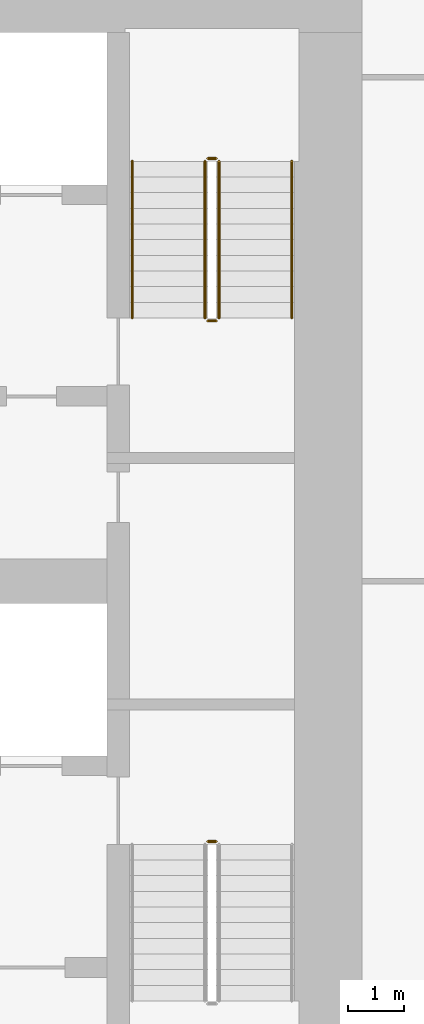
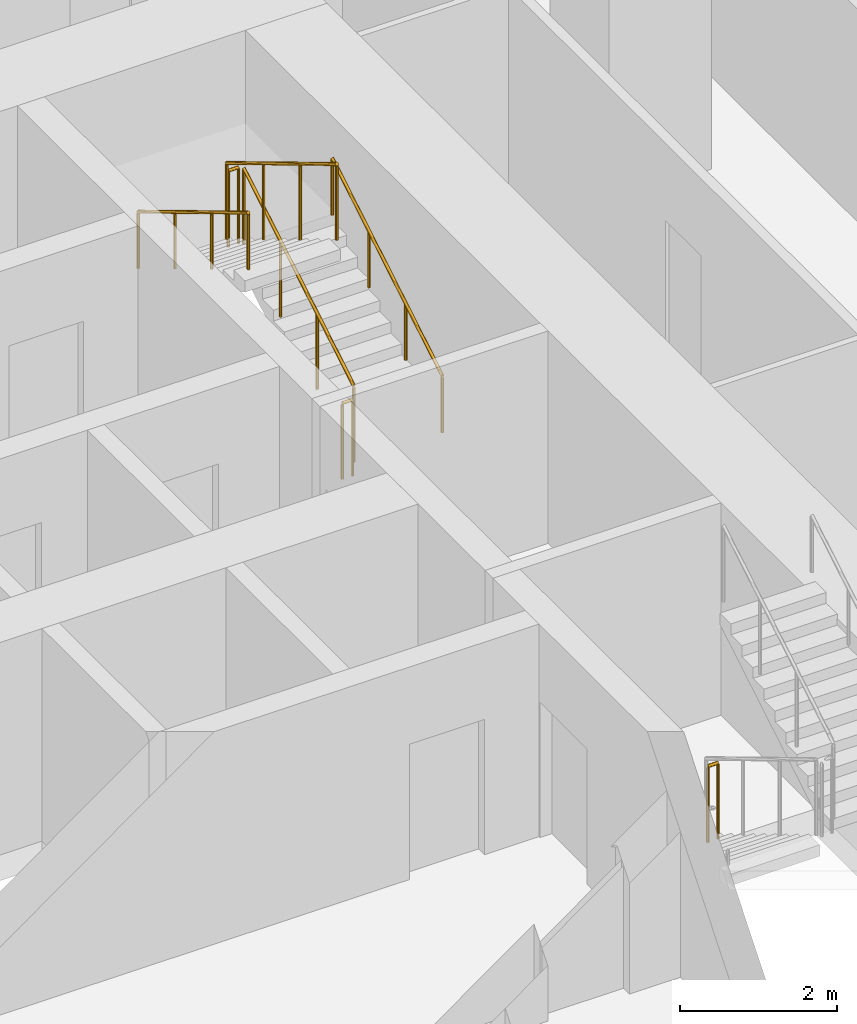
# One storey, part 25 of 26: 7 railings.
"""IFC4 building model written with IfcOpenShell, lengths in metres."""

import ifcopenshell
import ifcopenshell.guid

model = None  # the IFC model being written
_history = None  # IfcOwnerHistory: only IFC2X3 demands one
_inside = {}  # id of a spatial element -> (the spatial element, [elements in it])
_under = {}  # id of a project, library or spatial element -> (it, [spatial elements below it])
_declared = {}  # id of a project -> (the project, [libraries it declares])
_typed = {}  # id of a type object -> (the type object, [elements of that type])
_made_of = {}  # id of a material, layer set ... -> (it, [elements and type objects made of it])


def new_model(schema):
    """Start an empty IFC model of exactly this schema.

    Asked for "IFC4X3", IfcOpenShell would pick the latest addendum, in which some entities
    have other attributes; the version numbers below select the first issue.
    IFC2X3 requires an IfcOwnerHistory on every rooted entity: one is made here for all.
    """
    global model, _history
    if schema == "IFC4X3":
        model = ifcopenshell.file(schema_version=(4, 3, 0, 0))
    else:
        model = ifcopenshell.file(schema=schema)
    _inside.clear()
    _under.clear()
    _declared.clear()
    _typed.clear()
    _made_of.clear()
    _history = None
    if model.schema == "IFC2X3":
        org = make("IfcOrganization", Name="unknown")
        user = make(
            "IfcPersonAndOrganization",
            ThePerson=make("IfcPerson", FamilyName="unknown"),
            TheOrganization=org,
        )
        app = make(
            "IfcApplication",
            ApplicationDeveloper=org,
            Version="unknown",
            ApplicationFullName="unknown",
            ApplicationIdentifier="unknown",
        )
        _history = make(
            "IfcOwnerHistory",
            OwningUser=user,
            OwningApplication=app,
            ChangeAction="ADDED",
            CreationDate=0,
        )
    return model


def make(cls, **values):
    """One entity of the class cls with the attributes given. An attribute that is None is left unset."""
    return model.create_entity(
        cls, **{name: value for name, value in values.items() if value is not None}
    )


def rooted(cls, **values):
    """An entity with a GlobalId (a new one), such as an element, a storey or a relation."""
    return make(cls, GlobalId=ifcopenshell.guid.new(), OwnerHistory=_history, **values)


def si_unit(unit_type, name, prefix=None):
    """IfcSIUnit, for example si_unit("LENGTHUNIT", "METRE", prefix="MILLI")."""
    return make("IfcSIUnit", UnitType=unit_type, Prefix=prefix, Name=name)


def assignment(units):
    """IfcUnitAssignment: the units of a project."""
    return None if units is None else make("IfcUnitAssignment", Units=units)


def point(xyz):
    """IfcCartesianPoint."""
    return None if xyz is None else make("IfcCartesianPoint", Coordinates=xyz)


def direction(xyz):
    """IfcDirection."""
    return None if xyz is None else make("IfcDirection", DirectionRatios=xyz)


def frame(location, z_axis=None, x_axis=None):
    """IfcAxis2Placement3D, a coordinate frame: its origin and axes. An axis left out is left unset."""
    return make(
        "IfcAxis2Placement3D",
        Location=point(location),
        Axis=direction(z_axis),
        RefDirection=direction(x_axis),
    )


def frame_2d(location, x_axis=None):
    """IfcAxis2Placement2D, a coordinate frame in the plane: its origin and x axis."""
    return make(
        "IfcAxis2Placement2D", Location=point(location), RefDirection=direction(x_axis)
    )


def origin():
    """The frame at (0, 0, 0) with its axes left unset."""
    return frame((0.0, 0.0, 0.0))


def origin_2d():
    """The frame at (0, 0) in the plane with its x axis left unset."""
    return frame_2d((0.0, 0.0))


def place(relative_to, where):
    """IfcLocalPlacement: puts the frame where relative to a parent placement (None: the world)."""
    return make(
        "IfcLocalPlacement", PlacementRelTo=relative_to, RelativePlacement=where
    )


def context(
    kind, dimensions, precision=None, world=None, true_north=None, identifier=None
):
    """IfcGeometricRepresentationContext, for example the 3D "Model" context."""
    return make(
        "IfcGeometricRepresentationContext",
        ContextIdentifier=identifier,
        ContextType=kind,
        CoordinateSpaceDimension=dimensions,
        Precision=precision,
        WorldCoordinateSystem=world,
        TrueNorth=true_north,
    )


def subcontext(parent, identifier, kind, view, scale=None):
    """IfcGeometricRepresentationSubContext, for example "Body" below "Model"."""
    return make(
        "IfcGeometricRepresentationSubContext",
        ContextIdentifier=identifier,
        ContextType=kind,
        ParentContext=parent,
        TargetScale=scale,
        TargetView=view,
    )


def project(units=None, contexts=None):
    """IfcProject with its units and contexts."""
    return rooted(
        "IfcProject",
        Name="project",
        RepresentationContexts=contexts,
        UnitsInContext=assignment(units),
    )


def spatial(cls, under=None, at=None, **own):
    """A site, building, storey or space (cls), placed at a placement, below another one or the project."""
    s = rooted(cls, ObjectPlacement=at, **own)
    if under is not None:
        _under.setdefault(under.id(), (under, []))[1].append(s)
    return s


def profile(cls, at=None, kind="AREA", **sizes):
    """A parametric profile (cls). Its sizes go by their IFC names, for example OverallWidth=200.0."""
    return make(cls, ProfileType=kind, Position=at, **sizes)


def circle(**sizes):
    """IfcCircleProfileDef."""
    return profile("IfcCircleProfileDef", **sizes)


def extrude(swept, where, along, depth):
    """IfcExtrudedAreaSolid: the profile swept, set in the frame where, extruded along a direction by depth."""
    return make(
        "IfcExtrudedAreaSolid",
        SweptArea=swept,
        Position=where,
        ExtrudedDirection=direction(along),
        Depth=depth,
    )


def shape(context_of_items, identifier, shape_type, items):
    """IfcShapeRepresentation: the items that make up one representation, for example the "Body"."""
    return make(
        "IfcShapeRepresentation",
        ContextOfItems=context_of_items,
        RepresentationIdentifier=identifier,
        RepresentationType=shape_type,
        Items=items,
    )


def material(Name=None, Category=None):
    """IfcMaterial."""
    return make("IfcMaterial", Name=Name, Category=Category)


def made_of(thing, what):
    """Note that an element or type object is made of a material, layer set ...; save() writes the relation."""
    if what is not None:
        _made_of.setdefault(what.id(), (what, []))[1].append(thing)
    return thing


def type_object(cls, material=None, **own):
    """A type object (cls), such as IfcWallType, which elements share."""
    return made_of(rooted(cls, **own), material)


def element(
    cls,
    number,
    at=None,
    inside=None,
    cuts=None,
    type_object=None,
    material=None,
    context=None,
    identifier="Body",
    shape_type=None,
    held_by="IfcProductDefinitionShape",
    body=None,
    shapes=None,
    **own,
):
    """One element of the class cls, such as IfcWall. Its Tag is "e" and its number.

    at: its placement. inside: the storey or other place that contains it. cuts: it is an
    opening in that element (IfcRelVoidsElement). A single representation is given by context,
    identifier, shape_type and body (its items); several are given by shapes. held_by: the class
    of the entity that holds the representations. save() writes the other relations.
    """
    e = rooted(cls, Tag="e%d" % number, ObjectPlacement=at, **own)
    if body is not None:
        shapes = [shape(context, identifier, shape_type, body)]
    if shapes is not None:
        e.Representation = make(held_by, Representations=shapes)
    if inside is not None:
        _inside.setdefault(inside.id(), (inside, []))[1].append(e)
    if cuts is not None:
        rooted(
            "IfcRelVoidsElement", RelatingBuildingElement=cuts, RelatedOpeningElement=e
        )
    if type_object is not None:
        _typed.setdefault(type_object.id(), (type_object, []))[1].append(e)
    return made_of(e, material)


def aggregate(whole, parts):
    """IfcRelAggregates: a whole, such as a stair, and the parts it consists of."""
    return rooted("IfcRelAggregates", RelatingObject=whole, RelatedObjects=parts)


def save(model, path):
    """Write the relations noted so far, then the file.

    IfcRelAggregates (storeys below a building ...), IfcRelContainedInSpatialStructure (elements
    in a storey), IfcRelDefinesByType, IfcRelAssociatesMaterial and IfcRelDeclares: one each for
    every whole, place, type object, material and project.
    """
    for whole, parts in _under.values():
        aggregate(whole, parts)
    for where, things in _inside.values():
        rooted(
            "IfcRelContainedInSpatialStructure",
            RelatedElements=things,
            RelatingStructure=where,
        )
    for kind, things in _typed.values():
        rooted("IfcRelDefinesByType", RelatedObjects=things, RelatingType=kind)
    for what, things in _made_of.values():
        rooted("IfcRelAssociatesMaterial", RelatedObjects=things, RelatingMaterial=what)
    for by, libraries in _declared.values():
        rooted("IfcRelDeclares", RelatingContext=by, RelatedDefinitions=libraries)
    model.write(path)


model = new_model("IFC4")

# Units and contexts
model_context = context("Model", 3, precision=1e-05, world=origin(), true_north=direction((0.0, 1.0)))
body_context = subcontext(model_context, "Body", "Model", "MODEL_VIEW")
ifc_project = project(units=[si_unit("LENGTHUNIT", "METRE"), si_unit("AREAUNIT", "SQUARE_METRE"), si_unit("VOLUMEUNIT", "CUBIC_METRE"), si_unit("PLANEANGLEUNIT", "RADIAN"), si_unit("MASSUNIT", "GRAM", prefix="KILO")], contexts=[model_context])

# Site, building, storey
site_placement = place(None, origin())
site = spatial("IfcSite", under=ifc_project, at=site_placement, CompositionType="ELEMENT")
building_placement = place(site_placement, origin())
building = spatial("IfcBuilding", under=site, at=building_placement, Name="Dongbaek Canopy Tower", CompositionType="ELEMENT")
storey_placement = place(building_placement, frame((0.0, 0.0, 66.199951171875)))
storey = spatial("IfcBuildingStorey", under=building, at=storey_placement, Name="L12", CompositionType="ELEMENT", Elevation=66.199951171875)

# Railings
ifc_material_1 = material(Name="Stainless steel tube and balusters", Category="steel")
railing_type_1 = type_object("IfcRailingType", Name="Stair guard 1200", PredefinedType="GUARDRAIL", material=ifc_material_1)
railing_1_placement = place(storey_placement, frame((11.449951171875, 4.699951171875, 0.168212890625)))
element("IfcRailing", 1, at=railing_1_placement, inside=storey, type_object=railing_type_1, Name="L12 ST-A stair guard 1", PredefinedType="GUARDRAIL", context=body_context, shape_type="SweptSolid", body=[
    extrude(circle(Radius=0.02392578125, at=origin_2d()), frame((0.0, 0.0, 1.17578125), z_axis=(0.0, 0.857242210791, 0.514913383045), x_axis=(-1.0, 0.0, 0.0)), (0.0, 0.0, 1.0), 3.266357421875),
    extrude(circle(Radius=0.02099609375, at=origin_2d()), origin(), (0.0, 0.0, 1.0), 1.15185546875),
    extrude(circle(Radius=0.02099609375, at=origin_2d()), frame((0.0, 0.933349609375, 0.560546875)), (0.0, 0.0, 1.0), 1.15185546875),
    extrude(circle(Radius=0.02099609375, at=origin_2d()), frame((0.0, 1.86669921875, 1.121337890625)), (0.0, 0.0, 1.0), 1.15185546875),
    extrude(circle(Radius=0.02099609375, at=origin_2d()), frame((0.0, 2.800048828125, 1.681884765625)), (0.0, 0.0, 1.0), 1.15185546875),
])
railing_2_placement = place(storey_placement, frame((11.39990234375, 7.550048828125, 1.85009765625)))
element("IfcRailing", 2, at=railing_2_placement, inside=storey, type_object=railing_type_1, Name="L12 ST-A stair guard 2", PredefinedType="GUARDRAIL", context=body_context, shape_type="SweptSolid", body=[
    extrude(circle(Radius=0.02392578125, at=origin_2d()), frame((0.0, 0.0, 1.17578125), z_axis=(-1.0, 0.0, 0.0), x_axis=(0.0, -1.0, 0.0)), (0.0, 0.0, 1.0), 0.14990234375),
    extrude(circle(Radius=0.02099609375, at=origin_2d()), origin(), (0.0, 0.0, 1.0), 1.15185546875),
    extrude(circle(Radius=0.02099609375, at=origin_2d()), frame((-0.14990234375, 0.0, 0.0)), (0.0, 0.0, 1.0), 1.15185546875),
])
railing_3_placement = place(storey_placement, frame((11.199951171875, 7.5, 2.018310546875)))
element("IfcRailing", 3, at=railing_3_placement, inside=storey, type_object=railing_type_1, Name="L12 ST-A stair guard 3", PredefinedType="GUARDRAIL", context=body_context, shape_type="SweptSolid", body=[
    extrude(circle(Radius=0.02392578125, at=origin_2d()), frame((0.0, 0.0, 1.17578125), z_axis=(0.0, -0.857275202839, 0.514858452973), x_axis=(1.0, 0.0, 0.0)), (0.0, 0.0, 1.0), 3.26611328125),
    extrude(circle(Radius=0.02099609375, at=origin_2d()), origin(), (0.0, 0.0, 1.0), 1.15185546875),
    extrude(circle(Radius=0.02099609375, at=origin_2d()), frame((0.0, -0.933349609375, 0.560546875)), (0.0, 0.0, 1.0), 1.15185546875),
    extrude(circle(Radius=0.02099609375, at=origin_2d()), frame((0.0, -1.86669921875, 1.12109375)), (0.0, 0.0, 1.0), 1.15185546875),
    extrude(circle(Radius=0.02099609375, at=origin_2d()), frame((0.0, -2.800048828125, 1.681640625)), (0.0, 0.0, 1.0), 1.15185546875),
])
railing_4_placement = place(storey_placement, frame((11.39990234375, 4.64990234375, 0.0)))
element("IfcRailing", 4, at=railing_4_placement, inside=storey, type_object=railing_type_1, Name="L12 ST-A stair guard 4", PredefinedType="GUARDRAIL", context=body_context, shape_type="SweptSolid", body=[
    extrude(circle(Radius=0.02392578125, at=origin_2d()), frame((0.0, 0.0, 1.17578125), z_axis=(-1.0, 0.0, 0.0), x_axis=(0.0, -1.0, 0.0)), (0.0, 0.0, 1.0), 0.14990234375),
    extrude(circle(Radius=0.02099609375, at=origin_2d()), origin(), (0.0, 0.0, 1.0), 1.15185546875),
    extrude(circle(Radius=0.02099609375, at=origin_2d()), frame((-0.14990234375, 0.0, 0.0)), (0.0, 0.0, 1.0), 1.15185546875),
])
railing_5_placement = place(storey_placement, frame((11.25, -4.64990234375, 0.0)))
element("IfcRailing", 5, at=railing_5_placement, inside=storey, type_object=railing_type_1, Name="L12 ST-B stair guard 4", PredefinedType="GUARDRAIL", context=body_context, shape_type="SweptSolid", body=[
    extrude(circle(Radius=0.02392578125, at=origin_2d()), frame((0.0, 0.0, 1.17578125), z_axis=(1.0, 0.0, 0.0), x_axis=(0.0, 1.0, 0.0)), (0.0, 0.0, 1.0), 0.14990234375),
    extrude(circle(Radius=0.02099609375, at=origin_2d()), origin(), (0.0, 0.0, 1.0), 1.15185546875),
    extrude(circle(Radius=0.02099609375, at=origin_2d()), frame((0.14990234375, 0.0, 0.0)), (0.0, 0.0, 1.0), 1.15185546875),
])
ifc_material_2 = material(Name="Stainless steel tube", Category="steel")
railing_type_2 = type_object("IfcRailingType", Name="Stair handrail 900", PredefinedType="HANDRAIL", material=ifc_material_2)
railing_6_placement = place(storey_placement, frame((12.75, 4.699951171875, 0.168212890625)))
element("IfcRailing", 6, at=railing_6_placement, inside=storey, type_object=railing_type_2, Name="L12 ST-A stair handrail 1", PredefinedType="HANDRAIL", context=body_context, shape_type="SweptSolid", body=[
    extrude(circle(Radius=0.02392578125, at=origin_2d()), frame((0.0, 0.0, 0.8759765625), z_axis=(0.0, 0.857242210791, 0.514913383045), x_axis=(-1.0, 0.0, 0.0)), (0.0, 0.0, 1.0), 3.266357421875),
    extrude(circle(Radius=0.02099609375, at=origin_2d()), origin(), (0.0, 0.0, 1.0), 0.851806640625),
    extrude(circle(Radius=0.02099609375, at=origin_2d()), frame((0.0, 0.933349609375, 0.560546875)), (0.0, 0.0, 1.0), 0.851806640625),
    extrude(circle(Radius=0.02099609375, at=origin_2d()), frame((0.0, 1.86669921875, 1.121337890625)), (0.0, 0.0, 1.0), 0.851806640625),
    extrude(circle(Radius=0.02099609375, at=origin_2d()), frame((0.0, 2.800048828125, 1.681884765625)), (0.0, 0.0, 1.0), 0.851806640625),
])
railing_7_placement = place(storey_placement, frame((9.89990234375, 7.5, 2.018310546875)))
element("IfcRailing", 7, at=railing_7_placement, inside=storey, type_object=railing_type_2, Name="L12 ST-A stair handrail 2", PredefinedType="HANDRAIL", context=body_context, shape_type="SweptSolid", body=[
    extrude(circle(Radius=0.02392578125, at=origin_2d()), frame((0.0, 0.0, 0.8759765625), z_axis=(0.0, -0.857275202839, 0.514858452973), x_axis=(1.0, 0.0, 0.0)), (0.0, 0.0, 1.0), 3.26611328125),
    extrude(circle(Radius=0.02099609375, at=origin_2d()), origin(), (0.0, 0.0, 1.0), 0.851806640625),
    extrude(circle(Radius=0.02099609375, at=origin_2d()), frame((0.0, -0.933349609375, 0.560546875)), (0.0, 0.0, 1.0), 0.851806640625),
    extrude(circle(Radius=0.02099609375, at=origin_2d()), frame((0.0, -1.86669921875, 1.12109375)), (0.0, 0.0, 1.0), 0.851806640625),
    extrude(circle(Radius=0.02099609375, at=origin_2d()), frame((0.0, -2.800048828125, 1.681640625)), (0.0, 0.0, 1.0), 0.851806640625),
])

save(model, "model.ifc")
